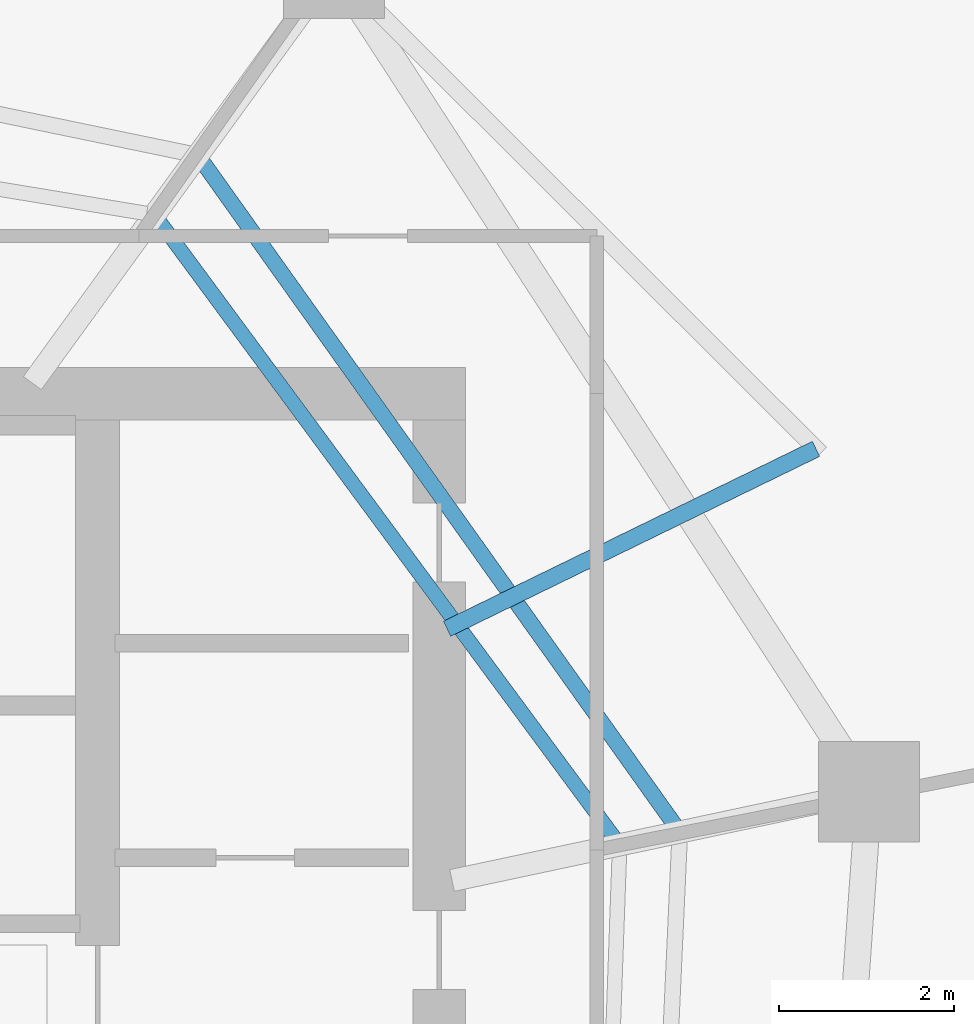
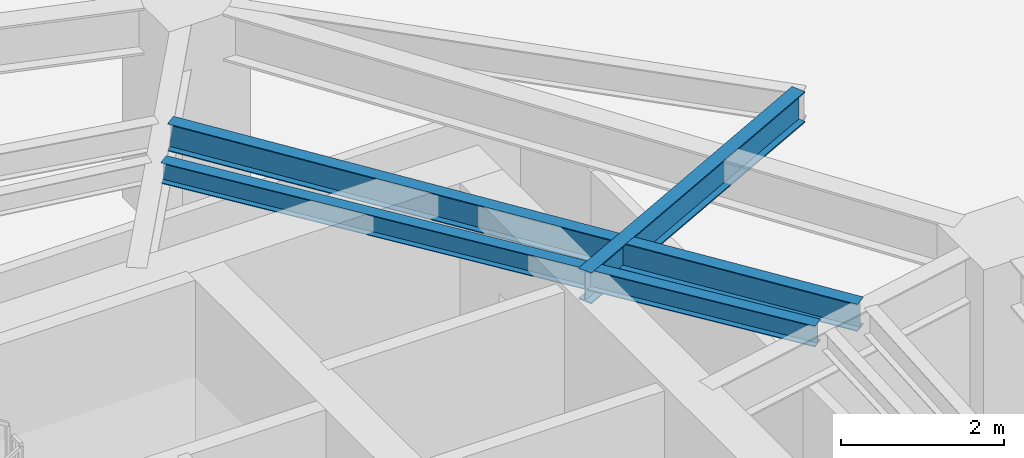
# One storey, part 14 of 30: 3 beams.
"""IFC4 building model written with IfcOpenShell, lengths in metres."""

from ifc_helpers import new_model, si_unit, direction, frame, origin, origin_2d, place, context, subcontext, project, spatial, i_section, extrude, material, material_profile, profile_set, type_object, element, save


model = new_model("IFC4")

# Units and contexts
model_context = context("Model", 3, precision=1e-05, world=origin(), true_north=direction((0.0, 1.0)))
body_context = subcontext(model_context, "Body", "Model", "MODEL_VIEW")
ifc_project = project(units=[si_unit("LENGTHUNIT", "METRE"), si_unit("AREAUNIT", "SQUARE_METRE"), si_unit("VOLUMEUNIT", "CUBIC_METRE"), si_unit("PLANEANGLEUNIT", "RADIAN"), si_unit("MASSUNIT", "GRAM", prefix="KILO")], contexts=[model_context])

# Site, building, storey
site_placement = place(None, origin())
site = spatial("IfcSite", under=ifc_project, at=site_placement, CompositionType="ELEMENT")
building_placement = place(site_placement, origin())
building = spatial("IfcBuilding", under=site, at=building_placement, Name="Qarnah Convention Tower", CompositionType="ELEMENT")
storey_placement = place(building_placement, frame((0.0, 0.0, 83.25)))
storey = spatial("IfcBuildingStorey", under=building, at=storey_placement, Name="L21", CompositionType="ELEMENT", Elevation=83.25)

# Beams
ifc_material = material(Name="Structural steel S355JR", Category="steel")
ifc_material_profile_1 = material_profile(ifc_material, i_section(OverallWidth=0.19189453125, OverallDepth=0.464111328125, WebThickness=0.010986328125, FlangeThickness=0.01806640625, at=origin_2d()), Name="W460X89")
ifc_profile_set_1 = profile_set([ifc_material_profile_1], Name="Structural steel S355JR")
beam_type_1 = type_object("IfcBeamType", Name="BM-CANT-W460A", PredefinedType="BEAM", material=ifc_profile_set_1)
beam_1_placement = place(storey_placement, frame((47.68994140625, 31.51611328125, 2.93798828125), z_axis=(0.898872044655, 0.438211190339, 0.0), x_axis=(-0.438211190339, 0.898872044655, 0.0)))
element("IfcBeam", 1, at=beam_1_placement, inside=storey, type_object=beam_type_1, Name="L21 beam BM-L21-CNT-01-2", PredefinedType="BEAM", context=body_context, shape_type="SweptSolid", body=[
    extrude(i_section(OverallWidth=0.19189453125, OverallDepth=0.464111328125, WebThickness=0.010986328125, FlangeThickness=0.01806640625, at=origin_2d()), origin(), (0.0, 0.0, 1.0), 4.687255859375),
])
ifc_material_profile_2 = material_profile(ifc_material, i_section(OverallWidth=0.166015625, OverallDepth=0.31201171875, WebThickness=0.007080078125, FlangeThickness=0.010986328125, at=origin_2d()), Name="W310X45")
ifc_profile_set_2 = profile_set([ifc_material_profile_2], Name="Structural steel S355JR")
beam_type_2 = type_object("IfcBeamType", Name="BM-JST-W310", PredefinedType="JOIST", material=ifc_profile_set_2)
beam_2_placement = place(storey_placement, frame((49.60791015625, 29.12109375, 3.013916015625), z_axis=(-0.594009463015, 0.804458052262, 0.0), x_axis=(-0.804458052262, -0.594009463015, 0.0)))
element("IfcBeam", 2, at=beam_2_placement, inside=storey, type_object=beam_type_2, Name="L21 joist BM-L21-IJST-01", PredefinedType="JOIST", context=body_context, shape_type="SweptSolid", body=[
    extrude(i_section(OverallWidth=0.166015625, OverallDepth=0.31201171875, WebThickness=0.007080078125, FlangeThickness=0.010986328125, at=origin_2d()), origin(), (0.0, 0.0, 1.0), 8.76220703125),
])
ifc_material_profile_3 = material_profile(ifc_material, i_section(OverallWidth=0.177978515625, OverallDepth=0.407958984375, WebThickness=0.008056640625, FlangeThickness=0.012939453125, at=origin_2d()), Name="W410X60")
ifc_profile_set_3 = profile_set([ifc_material_profile_3], Name="Structural steel S355JR")
beam_type_3 = type_object("IfcBeamType", Name="BM-JST-W410", PredefinedType="JOIST", material=ifc_profile_set_3)
beam_3_placement = place(storey_placement, frame((50.2958984375, 29.26806640625, 2.966064453125), z_axis=(-0.580091214001, 0.814551522888, 0.0), x_axis=(-0.814551522888, -0.580091214001, 0.0)))
element("IfcBeam", 3, at=beam_3_placement, inside=storey, type_object=beam_type_3, Name="L21 joist BM-L21-SJST-01", PredefinedType="JOIST", context=body_context, shape_type="SweptSolid", body=[
    extrude(i_section(OverallWidth=0.177978515625, OverallDepth=0.407958984375, WebThickness=0.008056640625, FlangeThickness=0.012939453125, at=origin_2d()), origin(), (0.0, 0.0, 1.0), 9.30712890625),
])

save(model, "model.ifc")
